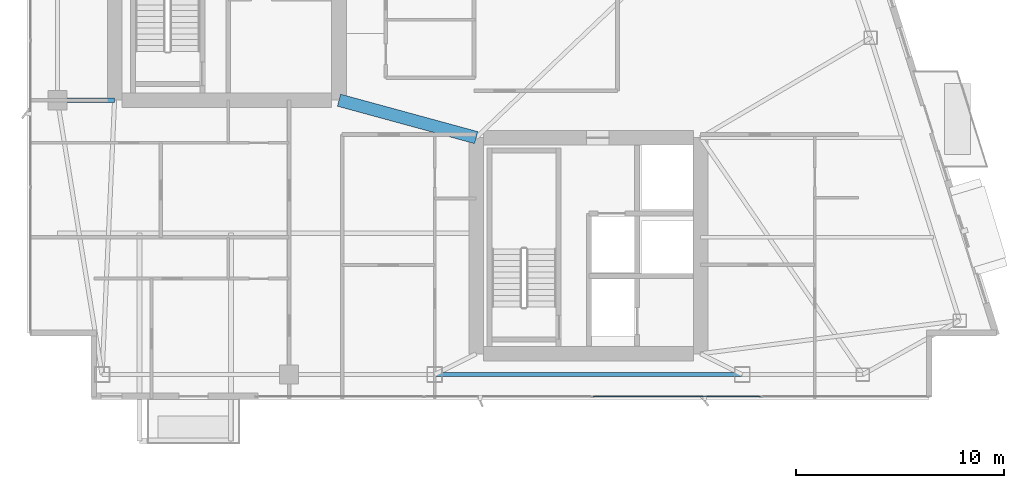
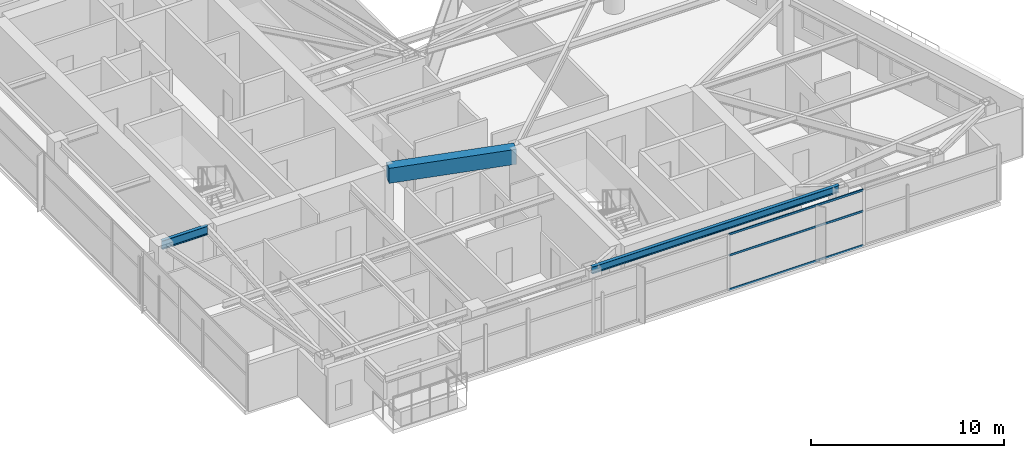
# One storey, part 8 of 29: 3 beams, 3 members, 1 element without a shape of its own.
"""IFC4 building model written with IfcOpenShell, lengths in metres."""

from ifc_helpers import new_model, si_unit, direction, frame, origin, origin_2d, place, context, subcontext, project, spatial, rectangle, hollow_rectangle, i_section, extrude, material, layer, layer_set, material_profile, profile_set, type_object, element, aggregate, save


model = new_model("IFC4")

# Units and contexts
model_context = context("Model", 3, precision=1e-05, world=origin(), true_north=direction((0.0, 1.0)))
body_context = subcontext(model_context, "Body", "Model", "MODEL_VIEW")
ifc_project = project(units=[si_unit("LENGTHUNIT", "METRE"), si_unit("AREAUNIT", "SQUARE_METRE"), si_unit("VOLUMEUNIT", "CUBIC_METRE"), si_unit("PLANEANGLEUNIT", "RADIAN"), si_unit("MASSUNIT", "GRAM", prefix="KILO")], contexts=[model_context])

# Site, building, storey
site_placement = place(None, origin())
site = spatial("IfcSite", under=ifc_project, at=site_placement, CompositionType="ELEMENT")
building_placement = place(site_placement, origin())
building = spatial("IfcBuilding", under=site, at=building_placement, Name="Calvorn Quay Hotel", CompositionType="ELEMENT")
storey_placement = place(building_placement, frame((0.0, 0.0, 251.39990234375)))
storey = spatial("IfcBuildingStorey", under=building, at=storey_placement, Name="L62", CompositionType="ELEMENT", Elevation=251.39990234375)

# Beams
ifc_material_1 = material(Name="Steel Q355B", Category="steel")
ifc_material_profile_1 = material_profile(ifc_material_1, i_section(OverallWidth=0.199951171875, OverallDepth=0.550048828125, WebThickness=0.010009765625, FlangeThickness=0.01611328125, FilletRadius=0.01806640625, at=origin_2d()), Name="HN550x200x10x16")
ifc_profile_set_1 = profile_set([ifc_material_profile_1], Name="Steel Q355B")
beam_type_1 = type_object("IfcBeamType", Name="BM-GIRD-UPP", PredefinedType="BEAM", material=ifc_profile_set_1)
beam_1_placement = place(storey_placement, frame((1.449951171875, 16.800048828125, 3.26513671875), z_axis=(1.0, 0.0, 0.0), x_axis=(0.0, 1.0, 0.0)))
element("IfcBeam", 1, at=beam_1_placement, inside=storey, type_object=beam_type_1, Name="Beam BG-L62-W1", PredefinedType="BEAM", context=body_context, shape_type="SweptSolid", body=[
    extrude(i_section(OverallWidth=0.199951171875, OverallDepth=0.550048828125, WebThickness=0.010009765625, FlangeThickness=0.01611328125, FilletRadius=0.01806640625, at=origin_2d()), origin(), (0.0, 0.0, 1.0), 2.75),
])
ifc_material_2 = material(Name="Concrete C45", Category="concrete")
ifc_material_profile_2 = material_profile(ifc_material_2, rectangle(XDim=0.60009765625, YDim=0.949951171875, at=origin_2d()), Name="RCB600x950")
ifc_profile_set_2 = profile_set([ifc_material_profile_2], Name="Concrete C45")
beam_type_2 = type_object("IfcBeamType", Name="BM-RC-LINK-600x950", PredefinedType="BEAM", material=ifc_profile_set_2)
beam_2_placement = place(storey_placement, frame((15.0, 16.800048828125, 3.065185546875), z_axis=(0.964762997686, -0.263120425462, 0.0), x_axis=(0.263120425462, 0.964762997686, 0.0)))
element("IfcBeam", 2, at=beam_2_placement, inside=storey, type_object=beam_type_2, Name="Beam BCL-L62-01", PredefinedType="BEAM", context=body_context, shape_type="SweptSolid", body=[
    extrude(rectangle(XDim=0.60009765625, YDim=0.949951171875, at=origin_2d()), origin(), (0.0, 0.0, 1.0), 6.841064453125),
])
ifc_material_3 = material(Name="Steel Q355B", Category="steel")
ifc_material_profile_3 = material_profile(ifc_material_3, i_section(OverallWidth=0.199951171875, OverallDepth=0.449951171875, WebThickness=0.009033203125, FlangeThickness=0.013916015625, FilletRadius=0.01611328125, at=origin_2d()), Name="HN450x200x9x14")
ifc_profile_set_3 = profile_set([ifc_material_profile_3], Name="Steel Q355B")
beam_type_3 = type_object("IfcBeamType", Name="BM-SPANDREL-Z3", PredefinedType="SPANDREL", material=ifc_profile_set_3)
beam_3_placement = place(storey_placement, frame((19.60009765625, 3.60009765625, 3.315185546875), z_axis=(1.0, 0.0, 0.0), x_axis=(0.0, 1.0, 0.0)))
element("IfcBeam", 3, at=beam_3_placement, inside=storey, type_object=beam_type_3, Name="Beam BSP-L62-S3", PredefinedType="SPANDREL", context=body_context, shape_type="SweptSolid", body=[
    extrude(i_section(OverallWidth=0.199951171875, OverallDepth=0.449951171875, WebThickness=0.009033203125, FlangeThickness=0.013916015625, FilletRadius=0.01611328125, at=origin_2d()), origin(), (0.0, 0.0, 1.0), 14.7998046875),
])

# Curtain wall, members
ifc_material_4 = material(Name="Champagne Bronze Anodised Aluminium and Low-E Glass", Category="aluminium")
ifc_layer = layer(ifc_material_4, 0.219970703125)
ifc_layer_set = layer_set([ifc_layer], Name="CW-SYS-Z4")
curtain_wall_type = type_object("IfcCurtainWallType", Name="CW-SYS-Z4", PredefinedType="NOTDEFINED", material=ifc_layer_set)
curtain_wall_placement = place(storey_placement, origin())
curtain_wall = element("IfcCurtainWall", 4, at=curtain_wall_placement, inside=storey, type_object=curtain_wall_type, Name="Tower South Waterfront Curtain Wall (L62)", PredefinedType="NOTDEFINED")
ifc_material_5 = material(Name="Champagne Bronze Anodised Aluminium 6063-T6", Category="aluminium")
ifc_material_profile_4 = material_profile(ifc_material_5, hollow_rectangle(XDim=0.054931640625, YDim=0.1298828125, WallThickness=0.003173828125, at=origin_2d()), Name="ALU-T130x55x3.2")
ifc_profile_set_4 = profile_set([ifc_material_profile_4], Name="Champagne Bronze Anodised Aluminium 6063-T6")
member_type = type_object("IfcMemberType", Name="CW-SYS-Z4-TRN", PredefinedType="USERDEFINED", material=ifc_profile_set_4)
member_1_placement = place(storey_placement, frame((27.22998046875, 2.550048828125, 0.030029296875), z_axis=(1.0, 0.0, 0.0), x_axis=(0.0, 1.0, 0.0)))
member_1 = element("IfcMember", 5, at=member_1_placement, type_object=member_type, Name="CW-L62-S transom 3.1", ObjectType="TRANSOM", PredefinedType="USERDEFINED", context=body_context, shape_type="SweptSolid", body=[
    extrude(hollow_rectangle(XDim=0.054931640625, YDim=0.1298828125, WallThickness=0.003173828125, at=origin_2d()), origin(), (0.0, 0.0, 1.0), 8.0400390625),
])
member_2_placement = place(storey_placement, frame((27.22998046875, 2.550048828125, 2.2001953125), z_axis=(1.0, 0.0, 0.0), x_axis=(0.0, 1.0, 0.0)))
member_2 = element("IfcMember", 6, at=member_2_placement, type_object=member_type, Name="CW-L62-S transom 3.2", ObjectType="TRANSOM", PredefinedType="USERDEFINED", context=body_context, shape_type="SweptSolid", body=[
    extrude(hollow_rectangle(XDim=0.054931640625, YDim=0.1298828125, WallThickness=0.003173828125, at=origin_2d()), origin(), (0.0, 0.0, 1.0), 8.0400390625),
])
member_3_placement = place(storey_placement, frame((27.22998046875, 2.550048828125, 3.530029296875), z_axis=(1.0, 0.0, 0.0), x_axis=(0.0, 1.0, 0.0)))
member_3 = element("IfcMember", 7, at=member_3_placement, type_object=member_type, Name="CW-L62-S transom 3.3", ObjectType="TRANSOM", PredefinedType="USERDEFINED", context=body_context, shape_type="SweptSolid", body=[
    extrude(hollow_rectangle(XDim=0.054931640625, YDim=0.1298828125, WallThickness=0.003173828125, at=origin_2d()), origin(), (0.0, 0.0, 1.0), 8.0400390625),
])
aggregate(curtain_wall, [member_1, member_2, member_3])

save(model, "model.ifc")
